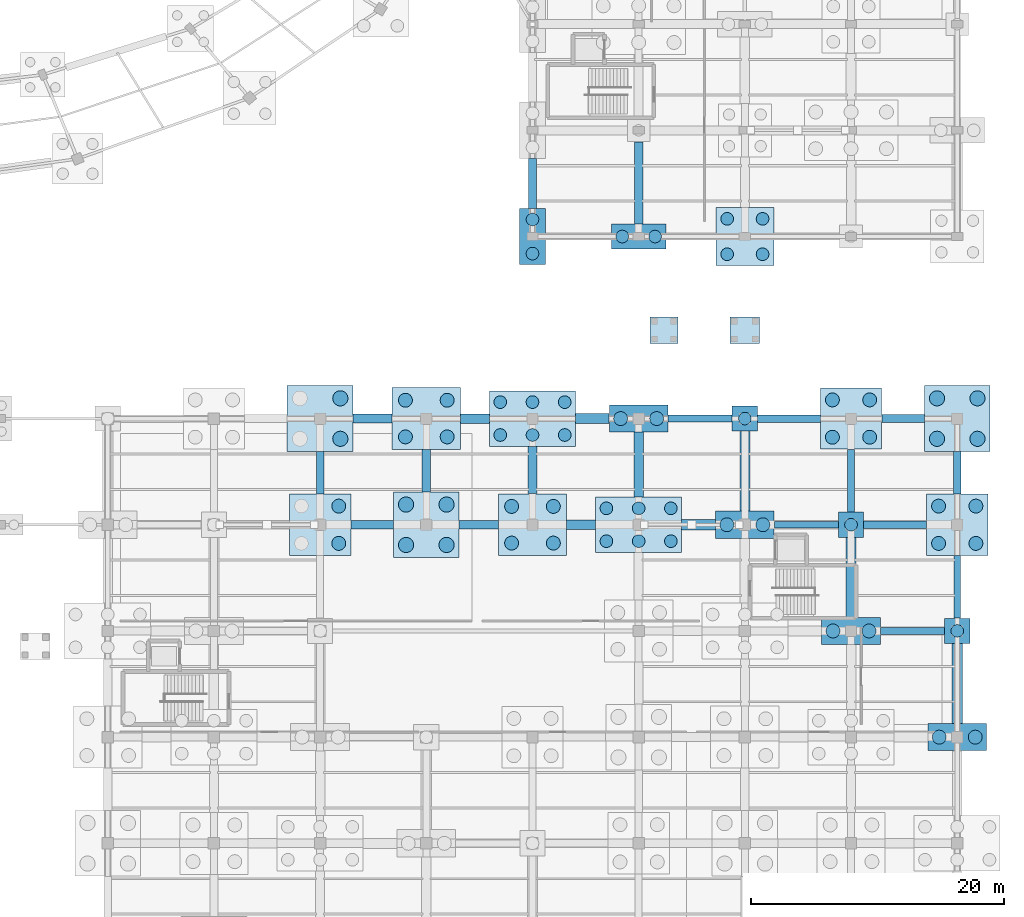
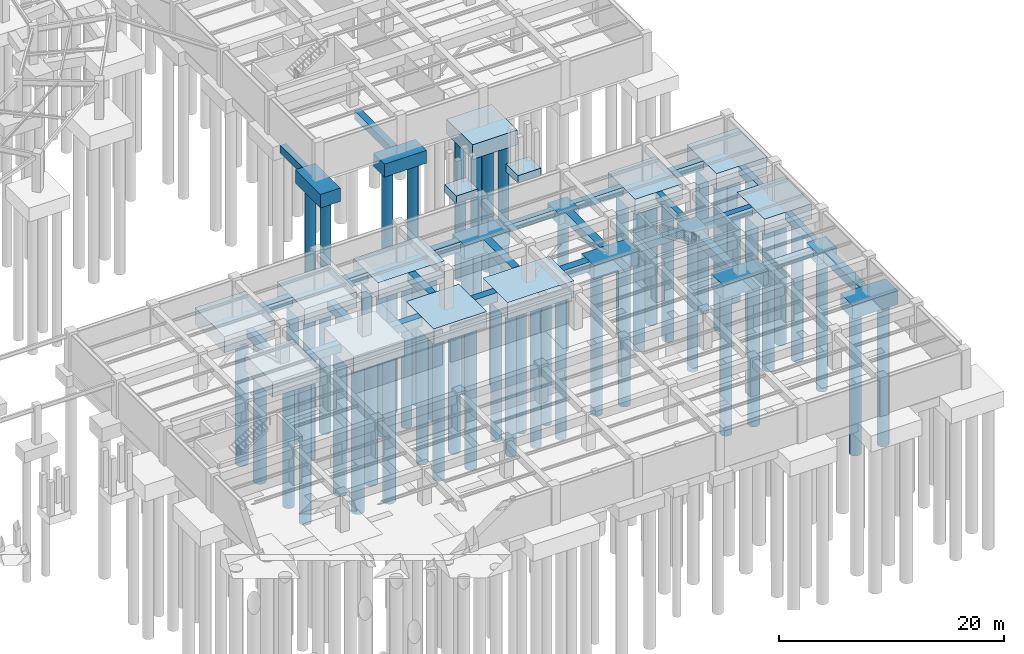
# One storey, part 8 of 38: 59 piles, 47 footings.
"""IFC4 building model written with IfcOpenShell, lengths in metres."""

import ifcopenshell
import ifcopenshell.guid

model = None  # the IFC model being written
_history = None  # IfcOwnerHistory: only IFC2X3 demands one
_inside = {}  # id of a spatial element -> (the spatial element, [elements in it])
_under = {}  # id of a project, library or spatial element -> (it, [spatial elements below it])
_declared = {}  # id of a project -> (the project, [libraries it declares])
_typed = {}  # id of a type object -> (the type object, [elements of that type])
_made_of = {}  # id of a material, layer set ... -> (it, [elements and type objects made of it])


def new_model(schema):
    """Start an empty IFC model of exactly this schema.

    Asked for "IFC4X3", IfcOpenShell would pick the latest addendum, in which some entities
    have other attributes; the version numbers below select the first issue.
    IFC2X3 requires an IfcOwnerHistory on every rooted entity: one is made here for all.
    """
    global model, _history
    if schema == "IFC4X3":
        model = ifcopenshell.file(schema_version=(4, 3, 0, 0))
    else:
        model = ifcopenshell.file(schema=schema)
    _inside.clear()
    _under.clear()
    _declared.clear()
    _typed.clear()
    _made_of.clear()
    _history = None
    if model.schema == "IFC2X3":
        org = make("IfcOrganization", Name="unknown")
        user = make(
            "IfcPersonAndOrganization",
            ThePerson=make("IfcPerson", FamilyName="unknown"),
            TheOrganization=org,
        )
        app = make(
            "IfcApplication",
            ApplicationDeveloper=org,
            Version="unknown",
            ApplicationFullName="unknown",
            ApplicationIdentifier="unknown",
        )
        _history = make(
            "IfcOwnerHistory",
            OwningUser=user,
            OwningApplication=app,
            ChangeAction="ADDED",
            CreationDate=0,
        )
    return model


def make(cls, **values):
    """One entity of the class cls with the attributes given. An attribute that is None is left unset."""
    return model.create_entity(
        cls, **{name: value for name, value in values.items() if value is not None}
    )


def rooted(cls, **values):
    """An entity with a GlobalId (a new one), such as an element, a storey or a relation."""
    return make(cls, GlobalId=ifcopenshell.guid.new(), OwnerHistory=_history, **values)


def si_unit(unit_type, name, prefix=None):
    """IfcSIUnit, for example si_unit("LENGTHUNIT", "METRE", prefix="MILLI")."""
    return make("IfcSIUnit", UnitType=unit_type, Prefix=prefix, Name=name)


def assignment(units):
    """IfcUnitAssignment: the units of a project."""
    return None if units is None else make("IfcUnitAssignment", Units=units)


def point(xyz):
    """IfcCartesianPoint."""
    return None if xyz is None else make("IfcCartesianPoint", Coordinates=xyz)


def direction(xyz):
    """IfcDirection."""
    return None if xyz is None else make("IfcDirection", DirectionRatios=xyz)


def frame(location, z_axis=None, x_axis=None):
    """IfcAxis2Placement3D, a coordinate frame: its origin and axes. An axis left out is left unset."""
    return make(
        "IfcAxis2Placement3D",
        Location=point(location),
        Axis=direction(z_axis),
        RefDirection=direction(x_axis),
    )


def frame_2d(location, x_axis=None):
    """IfcAxis2Placement2D, a coordinate frame in the plane: its origin and x axis."""
    return make(
        "IfcAxis2Placement2D", Location=point(location), RefDirection=direction(x_axis)
    )


def origin():
    """The frame at (0, 0, 0) with its axes left unset."""
    return frame((0.0, 0.0, 0.0))


def origin_2d():
    """The frame at (0, 0) in the plane with its x axis left unset."""
    return frame_2d((0.0, 0.0))


def place(relative_to, where):
    """IfcLocalPlacement: puts the frame where relative to a parent placement (None: the world)."""
    return make(
        "IfcLocalPlacement", PlacementRelTo=relative_to, RelativePlacement=where
    )


def context(
    kind, dimensions, precision=None, world=None, true_north=None, identifier=None
):
    """IfcGeometricRepresentationContext, for example the 3D "Model" context."""
    return make(
        "IfcGeometricRepresentationContext",
        ContextIdentifier=identifier,
        ContextType=kind,
        CoordinateSpaceDimension=dimensions,
        Precision=precision,
        WorldCoordinateSystem=world,
        TrueNorth=true_north,
    )


def subcontext(parent, identifier, kind, view, scale=None):
    """IfcGeometricRepresentationSubContext, for example "Body" below "Model"."""
    return make(
        "IfcGeometricRepresentationSubContext",
        ContextIdentifier=identifier,
        ContextType=kind,
        ParentContext=parent,
        TargetScale=scale,
        TargetView=view,
    )


def project(units=None, contexts=None):
    """IfcProject with its units and contexts."""
    return rooted(
        "IfcProject",
        Name="project",
        RepresentationContexts=contexts,
        UnitsInContext=assignment(units),
    )


def spatial(cls, under=None, at=None, **own):
    """A site, building, storey or space (cls), placed at a placement, below another one or the project."""
    s = rooted(cls, ObjectPlacement=at, **own)
    if under is not None:
        _under.setdefault(under.id(), (under, []))[1].append(s)
    return s


def polyline(points):
    """IfcPolyline through the points."""
    return make("IfcPolyline", Points=[point(p) for p in points])


def profile(cls, at=None, kind="AREA", **sizes):
    """A parametric profile (cls). Its sizes go by their IFC names, for example OverallWidth=200.0."""
    return make(cls, ProfileType=kind, Position=at, **sizes)


def rectangle(**sizes):
    """IfcRectangleProfileDef."""
    return profile("IfcRectangleProfileDef", **sizes)


def circle(**sizes):
    """IfcCircleProfileDef."""
    return profile("IfcCircleProfileDef", **sizes)


def outline(outer, holes=None, kind="AREA"):
    """IfcArbitraryClosedProfileDef: a profile drawn as a closed curve; with holes, ...WithVoids."""
    if holes is None:
        return make("IfcArbitraryClosedProfileDef", ProfileType=kind, OuterCurve=outer)
    return make(
        "IfcArbitraryProfileDefWithVoids",
        ProfileType=kind,
        OuterCurve=outer,
        InnerCurves=holes,
    )


def extrude(swept, where, along, depth):
    """IfcExtrudedAreaSolid: the profile swept, set in the frame where, extruded along a direction by depth."""
    return make(
        "IfcExtrudedAreaSolid",
        SweptArea=swept,
        Position=where,
        ExtrudedDirection=direction(along),
        Depth=depth,
    )


def shape(context_of_items, identifier, shape_type, items):
    """IfcShapeRepresentation: the items that make up one representation, for example the "Body"."""
    return make(
        "IfcShapeRepresentation",
        ContextOfItems=context_of_items,
        RepresentationIdentifier=identifier,
        RepresentationType=shape_type,
        Items=items,
    )


def material(Name=None, Category=None):
    """IfcMaterial."""
    return make("IfcMaterial", Name=Name, Category=Category)


def material_profile(
    of_material, cross_section, Name=None, Category=None, Priority=None
):
    """IfcMaterialProfile: a cross section and its material."""
    return make(
        "IfcMaterialProfile",
        Name=Name,
        Material=of_material,
        Profile=cross_section,
        Priority=Priority,
        Category=Category,
    )


def profile_set(profiles, Name=None, composite=None):
    """IfcMaterialProfileSet."""
    return make(
        "IfcMaterialProfileSet",
        Name=Name,
        MaterialProfiles=profiles,
        CompositeProfile=composite,
    )


def made_of(thing, what):
    """Note that an element or type object is made of a material, layer set ...; save() writes the relation."""
    if what is not None:
        _made_of.setdefault(what.id(), (what, []))[1].append(thing)
    return thing


def type_object(cls, material=None, **own):
    """A type object (cls), such as IfcWallType, which elements share."""
    return made_of(rooted(cls, **own), material)


def element(
    cls,
    number,
    at=None,
    inside=None,
    cuts=None,
    type_object=None,
    material=None,
    context=None,
    identifier="Body",
    shape_type=None,
    held_by="IfcProductDefinitionShape",
    body=None,
    shapes=None,
    **own,
):
    """One element of the class cls, such as IfcWall. Its Tag is "e" and its number.

    at: its placement. inside: the storey or other place that contains it. cuts: it is an
    opening in that element (IfcRelVoidsElement). A single representation is given by context,
    identifier, shape_type and body (its items); several are given by shapes. held_by: the class
    of the entity that holds the representations. save() writes the other relations.
    """
    e = rooted(cls, Tag="e%d" % number, ObjectPlacement=at, **own)
    if body is not None:
        shapes = [shape(context, identifier, shape_type, body)]
    if shapes is not None:
        e.Representation = make(held_by, Representations=shapes)
    if inside is not None:
        _inside.setdefault(inside.id(), (inside, []))[1].append(e)
    if cuts is not None:
        rooted(
            "IfcRelVoidsElement", RelatingBuildingElement=cuts, RelatedOpeningElement=e
        )
    if type_object is not None:
        _typed.setdefault(type_object.id(), (type_object, []))[1].append(e)
    return made_of(e, material)


def aggregate(whole, parts):
    """IfcRelAggregates: a whole, such as a stair, and the parts it consists of."""
    return rooted("IfcRelAggregates", RelatingObject=whole, RelatedObjects=parts)


def save(model, path):
    """Write the relations noted so far, then the file.

    IfcRelAggregates (storeys below a building ...), IfcRelContainedInSpatialStructure (elements
    in a storey), IfcRelDefinesByType, IfcRelAssociatesMaterial and IfcRelDeclares: one each for
    every whole, place, type object, material and project.
    """
    for whole, parts in _under.values():
        aggregate(whole, parts)
    for where, things in _inside.values():
        rooted(
            "IfcRelContainedInSpatialStructure",
            RelatedElements=things,
            RelatingStructure=where,
        )
    for kind, things in _typed.values():
        rooted("IfcRelDefinesByType", RelatedObjects=things, RelatingType=kind)
    for what, things in _made_of.values():
        rooted("IfcRelAssociatesMaterial", RelatedObjects=things, RelatingMaterial=what)
    for by, libraries in _declared.values():
        rooted("IfcRelDeclares", RelatingContext=by, RelatedDefinitions=libraries)
    model.write(path)


model = new_model("IFC4")

# Units and contexts
model_context = context("Model", 3, precision=1e-05, world=origin(), true_north=direction((0.0, 1.0)))
body_context = subcontext(model_context, "Body", "Model", "MODEL_VIEW")
ifc_project = project(units=[si_unit("LENGTHUNIT", "METRE"), si_unit("AREAUNIT", "SQUARE_METRE"), si_unit("VOLUMEUNIT", "CUBIC_METRE"), si_unit("PLANEANGLEUNIT", "RADIAN"), si_unit("MASSUNIT", "GRAM", prefix="KILO"), si_unit("THERMODYNAMICTEMPERATUREUNIT", "KELVIN"), si_unit("POWERUNIT", "WATT")], contexts=[model_context])

# Site, building, storey
site_placement = place(None, origin())
site = spatial("IfcSite", under=ifc_project, at=site_placement, CompositionType="ELEMENT")
building_placement = place(site_placement, origin())
building = spatial("IfcBuilding", under=site, at=building_placement, Name="Darbajah Civic Hall", CompositionType="ELEMENT")
storey_placement = place(building_placement, frame((0.0, 0.0, -4.199951171875)))
storey = spatial("IfcBuildingStorey", under=building, at=storey_placement, Name="B01", CompositionType="ELEMENT", Elevation=-4.199951171875)

# Piles
ifc_material = material(Name="Concrete C45/55", Category="concrete")
ifc_material_profile_1 = material_profile(ifc_material, circle(Radius=0.5, at=origin_2d()), Name="BORED PILE D1000")
ifc_profile_set_1 = profile_set([ifc_material_profile_1], Name="Concrete C45/55")
pile_type_1 = type_object("IfcPileType", Name="BORED PILE D1000", PredefinedType="BORED", material=ifc_profile_set_1)
for number, where, z_axis, x_axis, name in (
    (1, (142.050048828125, 40.699951171875, -1.699951171875), (0.0, 0.0, -1.0), (1.0, 0.0, 0.0), "B01 bored pile P-1000 V3-04-05-1"),
    (2, (144.60009765625, 40.699951171875, -1.699951171875), (0.0, 0.0, -1.0), (1.0, 0.0, 0.0), "B01 bored pile P-1000 V3-04-05-2"),
    (3, (147.14990234375, 40.699951171875, -1.699951171875), (0.0, 0.0, -1.0), (1.0, 0.0, 0.0), "B01 bored pile P-1000 V3-04-05-3"),
    (4, (142.050048828125, 43.300048828125, -1.699951171875), (0.0, 0.0, -1.0), (1.0, 0.0, 0.0), "B01 bored pile P-1000 V3-04-05-4"),
    (5, (144.60009765625, 43.300048828125, -1.699951171875), (0.0, 0.0, -1.0), (1.0, 0.0, 0.0), "B01 bored pile P-1000 V3-04-05-5"),
    (6, (147.14990234375, 43.300048828125, -1.699951171875), (0.0, 0.0, -1.0), (1.0, 0.0, 0.0), "B01 bored pile P-1000 V3-04-05-6"),
    (7, (150.449951171875, 32.300048828125, -1.699951171875), (0.0, 0.0, -1.0), (1.0, 0.0, 0.0), "B01 bored pile P-1000 V3-05-04-1"),
    (8, (153.0, 32.300048828125, -1.699951171875), (0.0, 0.0, -1.0), (1.0, 0.0, 0.0), "B01 bored pile P-1000 V3-05-04-2"),
    (9, (155.550048828125, 32.300048828125, -1.699951171875), (0.0, 0.0, -1.0), (1.0, 0.0, 0.0), "B01 bored pile P-1000 V3-05-04-3"),
    (10, (150.449951171875, 34.89990234375, -1.699951171875), (0.0, 0.0, -1.0), (1.0, 0.0, 0.0), "B01 bored pile P-1000 V3-05-04-4"),
    (11, (153.0, 34.89990234375, -1.699951171875), (0.0, 0.0, -1.0), (1.0, 0.0, 0.0), "B01 bored pile P-1000 V3-05-04-5"),
    (12, (155.550048828125, 34.89990234375, -1.699951171875), (0.0, 0.0, -1.0), (1.0, 0.0, 0.0), "B01 bored pile P-1000 V3-05-04-6"),
):
    element("IfcPile", number, at=place(storey_placement, frame(where, z_axis=z_axis, x_axis=x_axis)), inside=storey, type_object=pile_type_1, Name=name, PredefinedType="BORED", context=body_context, shape_type="SweptSolid", body=[
        extrude(circle(Radius=0.5, at=origin_2d()), origin(), (0.0, 0.0, 1.0), 15.5),
    ])
for number, where, z_axis, x_axis, name in (
    (13, (161.39990234375, 42.0, -1.10009765625), (0.0, 0.0, -1.0), (1.0, 0.0, 0.0), "B01 bored pile P-1000 V3-06-05-1"),
    (14, (169.800048828125, 33.60009765625, -1.10009765625), (0.0, 0.0, -1.0), (1.0, 0.0, 0.0), "B01 bored pile P-1000 V3-07-04-1"),
    (15, (178.199951171875, 25.199951171875, -1.10009765625), (0.0, 0.0, -1.0), (1.0, 0.0, 0.0), "B01 bored pile P-1000 V3-08-03-1"),
):
    element("IfcPile", number, at=place(storey_placement, frame(where, z_axis=z_axis, x_axis=x_axis)), inside=storey, type_object=pile_type_1, Name=name, PredefinedType="BORED", context=body_context, shape_type="SweptSolid", body=[
        extrude(circle(Radius=0.5, at=origin_2d()), origin(), (0.0, 0.0, 1.0), 14.5),
    ])
for number, where, z_axis, x_axis, name in (
    (16, (144.60009765625, 55.050048828125, -1.35009765625), (0.0, 0.0, -1.0), (1.0, 0.0, 0.0), "B01 bored pile P-1000 V4-00-00-1"),
    (17, (144.60009765625, 57.75, -1.35009765625), (0.0, 0.0, -1.0), (1.0, 0.0, 0.0), "B01 bored pile P-1000 V4-00-00-2"),
    (18, (151.699951171875, 56.39990234375, -1.300048828125), (0.0, 0.0, -1.0), (1.0, 0.0, 0.0), "B01 bored pile P-1000 V4-01-00-1"),
    (19, (154.300048828125, 56.39990234375, -1.300048828125), (0.0, 0.0, -1.0), (1.0, 0.0, 0.0), "B01 bored pile P-1000 V4-01-00-2"),
):
    element("IfcPile", number, at=place(storey_placement, frame(where, z_axis=z_axis, x_axis=x_axis)), inside=storey, type_object=pile_type_1, Name=name, PredefinedType="BORED", context=body_context, shape_type="SweptSolid", body=[
        extrude(circle(Radius=0.5, at=origin_2d()), origin(), (0.0, 0.0, 1.0), 15.0),
    ])
for number, where, z_axis, x_axis, name in (
    (20, (160.0, 55.0, -1.5), (0.0, 0.0, -1.0), (1.0, 0.0, 0.0), "B01 bored pile P-1000 V4-02-00-1"),
    (21, (162.800048828125, 55.0, -1.5), (0.0, 0.0, -1.0), (1.0, 0.0, 0.0), "B01 bored pile P-1000 V4-02-00-2"),
    (22, (160.0, 57.800048828125, -1.5), (0.0, 0.0, -1.0), (1.0, 0.0, 0.0), "B01 bored pile P-1000 V4-02-00-3"),
    (23, (162.800048828125, 57.800048828125, -1.5), (0.0, 0.0, -1.0), (1.0, 0.0, 0.0), "B01 bored pile P-1000 V4-02-00-4"),
):
    element("IfcPile", number, at=place(storey_placement, frame(where, z_axis=z_axis, x_axis=x_axis)), inside=storey, type_object=pile_type_1, Name=name, PredefinedType="BORED", context=body_context, shape_type="SweptSolid", body=[
        extrude(circle(Radius=0.5, at=origin_2d()), origin(), (0.0, 0.0, 1.0), 15.5),
    ])
ifc_material_profile_2 = material_profile(ifc_material, circle(Radius=0.550048828125, at=origin_2d()), Name="BORED PILE D1100")
ifc_profile_set_2 = profile_set([ifc_material_profile_2], Name="Concrete C45/55")
pile_type_2 = type_object("IfcPileType", Name="BORED PILE D1100", PredefinedType="BORED", material=ifc_profile_set_2)
for number, where, z_axis, x_axis, name in (
    (24, (129.27490234375, 32.125, -1.550048828125), (0.0, 0.0, -1.0), (1.0, 0.0, 0.0), "B01 bored pile P-1100 V3-02-04-2"),
    (25, (129.27490234375, 35.074951171875, -1.550048828125), (0.0, 0.0, -1.0), (1.0, 0.0, 0.0), "B01 bored pile P-1100 V3-02-04-4"),
    (26, (134.550048828125, 40.550048828125, -1.60009765625), (0.0, 0.0, -1.0), (1.0, 0.0, 0.0), "B01 bored pile P-1100 V3-03-05-1"),
    (27, (137.85009765625, 40.550048828125, -1.60009765625), (0.0, 0.0, -1.0), (1.0, 0.0, 0.0), "B01 bored pile P-1100 V3-03-05-2"),
    (28, (134.550048828125, 43.449951171875, -1.60009765625), (0.0, 0.0, -1.0), (1.0, 0.0, 0.0), "B01 bored pile P-1100 V3-03-05-3"),
    (29, (137.85009765625, 43.449951171875, -1.60009765625), (0.0, 0.0, -1.0), (1.0, 0.0, 0.0), "B01 bored pile P-1100 V3-03-05-4"),
    (30, (142.949951171875, 32.14990234375, -1.60009765625), (0.0, 0.0, -1.0), (1.0, 0.0, 0.0), "B01 bored pile P-1100 V3-04-04-1"),
    (31, (146.25, 32.14990234375, -1.60009765625), (0.0, 0.0, -1.0), (1.0, 0.0, 0.0), "B01 bored pile P-1100 V3-04-04-2"),
    (32, (142.949951171875, 35.050048828125, -1.60009765625), (0.0, 0.0, -1.0), (1.0, 0.0, 0.0), "B01 bored pile P-1100 V3-04-04-3"),
    (33, (146.25, 35.050048828125, -1.60009765625), (0.0, 0.0, -1.0), (1.0, 0.0, 0.0), "B01 bored pile P-1100 V3-04-04-4"),
    (34, (151.574951171875, 42.0, -1.400146484375), (0.0, 0.0, -1.0), (1.0, 0.0, 0.0), "B01 bored pile P-1100 V3-05-05-1"),
    (35, (154.425048828125, 42.0, -1.400146484375), (0.0, 0.0, -1.0), (1.0, 0.0, 0.0), "B01 bored pile P-1100 V3-05-05-2"),
    (36, (159.97509765625, 33.60009765625, -1.400146484375), (0.0, 0.0, -1.0), (1.0, 0.0, 0.0), "B01 bored pile P-1100 V3-06-04-1"),
    (37, (162.824951171875, 33.60009765625, -1.400146484375), (0.0, 0.0, -1.0), (1.0, 0.0, 0.0), "B01 bored pile P-1100 V3-06-04-2"),
    (38, (168.375, 25.199951171875, -1.400146484375), (0.0, 0.0, -1.0), (1.0, 0.0, 0.0), "B01 bored pile P-1100 V3-07-03-1"),
    (39, (171.22509765625, 25.199951171875, -1.400146484375), (0.0, 0.0, -1.0), (1.0, 0.0, 0.0), "B01 bored pile P-1100 V3-07-03-2"),
    (40, (168.324951171875, 40.52490234375, -1.550048828125), (0.0, 0.0, -1.0), (1.0, 0.0, 0.0), "B01 bored pile P-1100 V3-07-05-1"),
    (41, (171.27490234375, 40.52490234375, -1.550048828125), (0.0, 0.0, -1.0), (1.0, 0.0, 0.0), "B01 bored pile P-1100 V3-07-05-2"),
    (42, (168.324951171875, 43.47509765625, -1.550048828125), (0.0, 0.0, -1.0), (1.0, 0.0, 0.0), "B01 bored pile P-1100 V3-07-05-3"),
    (43, (171.27490234375, 43.47509765625, -1.550048828125), (0.0, 0.0, -1.0), (1.0, 0.0, 0.0), "B01 bored pile P-1100 V3-07-05-4"),
    (44, (176.77490234375, 16.800048828125, -1.400146484375), (0.0, 0.0, -1.0), (1.0, 0.0, 0.0), "B01 bored pile P-1100 V3-08-02-1"),
    (45, (179.625, 16.800048828125, -1.400146484375), (0.0, 0.0, -1.0), (1.0, 0.0, 0.0), "B01 bored pile P-1100 V3-08-02-2"),
    (46, (176.72509765625, 32.125, -1.550048828125), (0.0, 0.0, -1.0), (1.0, 0.0, 0.0), "B01 bored pile P-1100 V3-08-04-1"),
    (47, (179.675048828125, 32.125, -1.550048828125), (0.0, 0.0, -1.0), (1.0, 0.0, 0.0), "B01 bored pile P-1100 V3-08-04-2"),
    (48, (176.72509765625, 35.074951171875, -1.550048828125), (0.0, 0.0, -1.0), (1.0, 0.0, 0.0), "B01 bored pile P-1100 V3-08-04-3"),
    (49, (179.675048828125, 35.074951171875, -1.550048828125), (0.0, 0.0, -1.0), (1.0, 0.0, 0.0), "B01 bored pile P-1100 V3-08-04-4"),
):
    element("IfcPile", number, at=place(storey_placement, frame(where, z_axis=z_axis, x_axis=x_axis)), inside=storey, type_object=pile_type_2, Name=name, PredefinedType="BORED", context=body_context, shape_type="SweptSolid", body=[
        extrude(circle(Radius=0.550048828125, at=origin_2d()), origin(), (0.0, 0.0, 1.0), 15.5),
    ])
ifc_material_profile_3 = material_profile(ifc_material, circle(Radius=0.60009765625, at=origin_2d()), Name="BORED PILE D1200")
ifc_profile_set_3 = profile_set([ifc_material_profile_3], Name="Concrete C45/55")
pile_type_3 = type_object("IfcPileType", Name="BORED PILE D1200", PredefinedType="BORED", material=ifc_profile_set_3)
for number, where, z_axis, x_axis, name in (
    (50, (129.39990234375, 40.39990234375, -1.650146484375), (0.0, 0.0, -1.0), (1.0, 0.0, 0.0), "B01 bored pile P-1200 V3-02-05-2"),
    (51, (129.39990234375, 43.60009765625, -1.650146484375), (0.0, 0.0, -1.0), (1.0, 0.0, 0.0), "B01 bored pile P-1200 V3-02-05-4"),
    (52, (134.60009765625, 32.0, -1.650146484375), (0.0, 0.0, -1.0), (1.0, 0.0, 0.0), "B01 bored pile P-1200 V3-03-04-1"),
    (53, (137.800048828125, 32.0, -1.650146484375), (0.0, 0.0, -1.0), (1.0, 0.0, 0.0), "B01 bored pile P-1200 V3-03-04-2"),
    (54, (134.60009765625, 35.199951171875, -1.650146484375), (0.0, 0.0, -1.0), (1.0, 0.0, 0.0), "B01 bored pile P-1200 V3-03-04-3"),
    (55, (137.800048828125, 35.199951171875, -1.650146484375), (0.0, 0.0, -1.0), (1.0, 0.0, 0.0), "B01 bored pile P-1200 V3-03-04-4"),
    (56, (176.60009765625, 40.39990234375, -1.650146484375), (0.0, 0.0, -1.0), (1.0, 0.0, 0.0), "B01 bored pile P-1200 V3-08-05-1"),
    (57, (179.800048828125, 40.39990234375, -1.650146484375), (0.0, 0.0, -1.0), (1.0, 0.0, 0.0), "B01 bored pile P-1200 V3-08-05-2"),
    (58, (176.60009765625, 43.60009765625, -1.650146484375), (0.0, 0.0, -1.0), (1.0, 0.0, 0.0), "B01 bored pile P-1200 V3-08-05-3"),
    (59, (179.800048828125, 43.60009765625, -1.650146484375), (0.0, 0.0, -1.0), (1.0, 0.0, 0.0), "B01 bored pile P-1200 V3-08-05-4"),
):
    element("IfcPile", number, at=place(storey_placement, frame(where, z_axis=z_axis, x_axis=x_axis)), inside=storey, type_object=pile_type_3, Name=name, PredefinedType="BORED", context=body_context, shape_type="SweptSolid", body=[
        extrude(circle(Radius=0.60009765625, at=origin_2d()), origin(), (0.0, 0.0, 1.0), 16.0),
    ])

# Footings
footing_type_1 = type_object("IfcFootingType", Name="Ground Strip Footing 550x800", PredefinedType="STRIP_FOOTING", material=ifc_material)
footing_1_placement = place(storey_placement, frame((0.0, 0.0, -0.800048828125)))
element("IfcFooting", 60, at=footing_1_placement, inside=storey, type_object=footing_type_1, Name="B01 ground strip footing SF-06", PredefinedType="STRIP_FOOTING", context=body_context, shape_type="SweptSolid", body=[
    extrude(outline(polyline([(170.074951171875, 34.60498046875), (170.074951171875, 39.570068359375), (169.52490234375, 39.570068359375), (169.52490234375, 34.60498046875), (170.074951171875, 34.60498046875)])), origin(), (0.0, 0.0, 1.0), 0.800048828125),
])
footing_2_placement = place(storey_placement, frame((0.0, 0.0, -0.800048828125)))
element("IfcFooting", 61, at=footing_2_placement, inside=storey, type_object=footing_type_1, Name="B01 ground strip footing SF-06", PredefinedType="STRIP_FOOTING", context=body_context, shape_type="SweptSolid", body=[
    extrude(outline(polyline([(178.47509765625, 26.205078125), (178.47509765625, 31.169921875), (177.925048828125, 31.169921875), (177.925048828125, 26.205078125), (178.47509765625, 26.205078125)])), origin(), (0.0, 0.0, 1.0), 0.800048828125),
])
footing_3_placement = place(storey_placement, frame((0.0, 0.0, -0.800048828125)))
element("IfcFooting", 62, at=footing_3_placement, inside=storey, type_object=footing_type_1, Name="B01 ground strip footing SF-06", PredefinedType="STRIP_FOOTING", context=body_context, shape_type="SweptSolid", body=[
    extrude(outline(polyline([(155.330078125, 41.72509765625), (160.39501953125, 41.72509765625), (160.39501953125, 42.27490234375), (155.330078125, 42.27490234375), (155.330078125, 41.72509765625)])), origin(), (0.0, 0.0, 1.0), 0.800048828125),
])
footing_4_placement = place(storey_placement, frame((0.0, 0.0, -0.800048828125)))
element("IfcFooting", 63, at=footing_4_placement, inside=storey, type_object=footing_type_1, Name="B01 ground strip footing SF-06", PredefinedType="STRIP_FOOTING", context=body_context, shape_type="SweptSolid", body=[
    extrude(outline(polyline([(163.72998046875, 33.324951171875), (168.794921875, 33.324951171875), (168.794921875, 33.875), (163.72998046875, 33.875), (163.72998046875, 33.324951171875)])), origin(), (0.0, 0.0, 1.0), 0.800048828125),
])
footing_5_placement = place(storey_placement, frame((0.0, 0.0, -0.800048828125)))
element("IfcFooting", 64, at=footing_5_placement, inside=storey, type_object=footing_type_1, Name="B01 ground strip footing SF-06", PredefinedType="STRIP_FOOTING", context=body_context, shape_type="SweptSolid", body=[
    extrude(outline(polyline([(172.1298828125, 24.925048828125), (177.195068359375, 24.925048828125), (177.195068359375, 25.47509765625), (172.1298828125, 25.47509765625), (172.1298828125, 24.925048828125)])), origin(), (0.0, 0.0, 1.0), 0.800048828125),
])
footing_6_placement = place(storey_placement, frame((0.0, 0.0, -0.85009765625)))
element("IfcFooting", 65, at=footing_6_placement, inside=storey, type_object=footing_type_1, Name="B01 ramp RMP-E1 BOT foundation", PredefinedType="STRIP_FOOTING", context=body_context, shape_type="SweptSolid", body=[
    extrude(outline(polyline([(153.89990234375, 47.949951171875), (156.10009765625, 47.949951171875), (156.10009765625, 50.050048828125), (153.89990234375, 50.050048828125), (153.89990234375, 47.949951171875)])), origin(), (0.0, 0.0, 1.0), 0.85009765625),
])
footing_7_placement = place(storey_placement, frame((0.0, 0.0, -0.85009765625)))
element("IfcFooting", 66, at=footing_7_placement, inside=storey, type_object=footing_type_1, Name="B01 ramp RMP-E1 TOP foundation", PredefinedType="STRIP_FOOTING", context=body_context, shape_type="SweptSolid", body=[
    extrude(outline(polyline([(160.219970703125, 47.949951171875), (162.570068359375, 47.949951171875), (162.570068359375, 50.050048828125), (160.219970703125, 50.050048828125), (160.219970703125, 47.949951171875)])), origin(), (0.0, 0.0, 1.0), 0.85009765625),
])
footing_type_2 = type_object("IfcFootingType", Name="Ground Strip Footing 600x850", PredefinedType="STRIP_FOOTING", material=ifc_material)
footing_8_placement = place(storey_placement, frame((0.0, 0.0, -0.85009765625)))
element("IfcFooting", 67, at=footing_8_placement, inside=storey, type_object=footing_type_2, Name="B01 ground strip footing SF-01", PredefinedType="STRIP_FOOTING", context=body_context, shape_type="SweptSolid", body=[
    extrude(outline(polyline([(128.10009765625, 36.030029296875), (128.10009765625, 39.39501953125), (127.5, 39.39501953125), (127.5, 36.030029296875), (128.10009765625, 36.030029296875)])), origin(), (0.0, 0.0, 1.0), 0.85009765625),
])
footing_9_placement = place(storey_placement, frame((0.0, 0.0, -0.85009765625)))
element("IfcFooting", 68, at=footing_9_placement, inside=storey, type_object=footing_type_2, Name="B01 ground strip footing SF-01", PredefinedType="STRIP_FOOTING", context=body_context, shape_type="SweptSolid", body=[
    extrude(outline(polyline([(178.5, 36.030029296875), (178.5, 39.39501953125), (177.89990234375, 39.39501953125), (177.89990234375, 36.030029296875), (178.5, 36.030029296875)])), origin(), (0.0, 0.0, 1.0), 0.85009765625),
])
footing_10_placement = place(storey_placement, frame((0.0, 0.0, -0.85009765625)))
element("IfcFooting", 69, at=footing_10_placement, inside=storey, type_object=footing_type_2, Name="B01 ground strip footing SF-01", PredefinedType="STRIP_FOOTING", context=body_context, shape_type="SweptSolid", body=[
    extrude(outline(polyline([(162.405029296875, 41.699951171875), (167.3701171875, 41.699951171875), (167.3701171875, 42.300048828125), (162.405029296875, 42.300048828125), (162.405029296875, 41.699951171875)])), origin(), (0.0, 0.0, 1.0), 0.85009765625),
])
footing_11_placement = place(storey_placement, frame((0.0, 0.0, -0.85009765625)))
element("IfcFooting", 70, at=footing_11_placement, inside=storey, type_object=footing_type_2, Name="B01 ground strip footing SF-01", PredefinedType="STRIP_FOOTING", context=body_context, shape_type="SweptSolid", body=[
    extrude(outline(polyline([(170.804931640625, 33.300048828125), (175.77001953125, 33.300048828125), (175.77001953125, 33.89990234375), (170.804931640625, 33.89990234375), (170.804931640625, 33.300048828125)])), origin(), (0.0, 0.0, 1.0), 0.85009765625),
])
footing_12_placement = place(storey_placement, frame((0.0, 0.0, -0.85009765625)))
element("IfcFooting", 71, at=footing_12_placement, inside=storey, type_object=footing_type_2, Name="B01 ground strip footing SF-01", PredefinedType="STRIP_FOOTING", context=body_context, shape_type="SweptSolid", body=[
    extrude(outline(polyline([(144.89990234375, 58.6298828125), (144.89990234375, 62.570068359375), (144.300048828125, 62.570068359375), (144.300048828125, 58.6298828125), (144.89990234375, 58.6298828125)])), origin(), (0.0, 0.0, 1.0), 0.85009765625),
])
footing_type_3 = type_object("IfcFootingType", Name="Ground Strip Footing 650x900", PredefinedType="STRIP_FOOTING", material=ifc_material)
footing_13_placement = place(storey_placement, frame((0.0, 0.0, -0.900146484375)))
element("IfcFooting", 72, at=footing_13_placement, inside=storey, type_object=footing_type_3, Name="B01 ground strip footing SF-02", PredefinedType="STRIP_FOOTING", context=body_context, shape_type="SweptSolid", body=[
    extrude(outline(polyline([(136.52490234375, 36.205078125), (136.52490234375, 39.544921875), (135.875, 39.544921875), (135.875, 36.205078125), (136.52490234375, 36.205078125)])), origin(), (0.0, 0.0, 1.0), 0.900146484375),
])
footing_14_placement = place(storey_placement, frame((0.0, 0.0, -0.900146484375)))
element("IfcFooting", 73, at=footing_14_placement, inside=storey, type_object=footing_type_3, Name="B01 ground strip footing SF-02", PredefinedType="STRIP_FOOTING", context=body_context, shape_type="SweptSolid", body=[
    extrude(outline(polyline([(130.22998046875, 33.27490234375), (133.594970703125, 33.27490234375), (133.594970703125, 33.925048828125), (130.22998046875, 33.925048828125), (130.22998046875, 33.27490234375)])), origin(), (0.0, 0.0, 1.0), 0.900146484375),
])
footing_15_placement = place(storey_placement, frame((0.0, 0.0, -0.900146484375)))
element("IfcFooting", 74, at=footing_15_placement, inside=storey, type_object=footing_type_3, Name="B01 ground strip footing SF-02", PredefinedType="STRIP_FOOTING", context=body_context, shape_type="SweptSolid", body=[
    extrude(outline(polyline([(172.22998046875, 41.675048828125), (175.594970703125, 41.675048828125), (175.594970703125, 42.324951171875), (172.22998046875, 42.324951171875), (172.22998046875, 41.675048828125)])), origin(), (0.0, 0.0, 1.0), 0.900146484375),
])
footing_16_placement = place(storey_placement, frame((0.0, 0.0, -0.900146484375)))
element("IfcFooting", 75, at=footing_16_placement, inside=storey, type_object=footing_type_3, Name="B01 ground strip footing SF-02", PredefinedType="STRIP_FOOTING", context=body_context, shape_type="SweptSolid", body=[
    extrude(outline(polyline([(153.324951171875, 57.405029296875), (153.324951171875, 63.89501953125), (152.675048828125, 63.89501953125), (152.675048828125, 57.405029296875), (153.324951171875, 57.405029296875)])), origin(), (0.0, 0.0, 1.0), 0.900146484375),
])
footing_type_4 = type_object("IfcFootingType", Name="Ground Strip Footing 700x950", PredefinedType="STRIP_FOOTING", material=ifc_material)
footing_17_placement = place(storey_placement, frame((0.0, 0.0, -0.949951171875)))
element("IfcFooting", 76, at=footing_17_placement, inside=storey, type_object=footing_type_4, Name="B01 ground strip footing SF-03", PredefinedType="STRIP_FOOTING", context=body_context, shape_type="SweptSolid", body=[
    extrude(outline(polyline([(144.949951171875, 36.054931640625), (144.949951171875, 39.794921875), (144.25, 39.794921875), (144.25, 36.054931640625), (144.949951171875, 36.054931640625)])), origin(), (0.0, 0.0, 1.0), 0.949951171875),
])
footing_18_placement = place(storey_placement, frame((0.0, 0.0, -0.949951171875)))
element("IfcFooting", 77, at=footing_18_placement, inside=storey, type_object=footing_type_4, Name="B01 ground strip footing SF-03", PredefinedType="STRIP_FOOTING", context=body_context, shape_type="SweptSolid", body=[
    extrude(outline(polyline([(130.405029296875, 41.64990234375), (133.4951171875, 41.64990234375), (133.4951171875, 42.35009765625), (130.405029296875, 42.35009765625), (130.405029296875, 41.64990234375)])), origin(), (0.0, 0.0, 1.0), 0.949951171875),
])
footing_19_placement = place(storey_placement, frame((0.0, 0.0, -0.949951171875)))
element("IfcFooting", 78, at=footing_19_placement, inside=storey, type_object=footing_type_4, Name="B01 ground strip footing SF-03", PredefinedType="STRIP_FOOTING", context=body_context, shape_type="SweptSolid", body=[
    extrude(outline(polyline([(138.804931640625, 33.25), (141.89501953125, 33.25), (141.89501953125, 33.949951171875), (138.804931640625, 33.949951171875), (138.804931640625, 33.25)])), origin(), (0.0, 0.0, 1.0), 0.949951171875),
])
footing_type_5 = type_object("IfcFootingType", Name="Ground Strip Footing 750x1000", PredefinedType="STRIP_FOOTING", material=ifc_material)
footing_20_placement = place(storey_placement, frame((0.0, 0.0, -1.0)))
element("IfcFooting", 79, at=footing_20_placement, inside=storey, type_object=footing_type_5, Name="B01 ground strip footing SF-04", PredefinedType="STRIP_FOOTING", context=body_context, shape_type="SweptSolid", body=[
    extrude(outline(polyline([(153.375, 35.804931640625), (153.375, 40.919921875), (152.625, 40.919921875), (152.625, 35.804931640625), (153.375, 35.804931640625)])), origin(), (0.0, 0.0, 1.0), 1.0),
])
footing_21_placement = place(storey_placement, frame((0.0, 0.0, -1.0)))
element("IfcFooting", 80, at=footing_21_placement, inside=storey, type_object=footing_type_5, Name="B01 ground strip footing SF-04", PredefinedType="STRIP_FOOTING", context=body_context, shape_type="SweptSolid", body=[
    extrude(outline(polyline([(138.905029296875, 41.625), (141.195068359375, 41.625), (141.195068359375, 42.375), (138.905029296875, 42.375), (138.905029296875, 41.625)])), origin(), (0.0, 0.0, 1.0), 1.0),
])
footing_22_placement = place(storey_placement, frame((0.0, 0.0, -1.0)))
element("IfcFooting", 81, at=footing_22_placement, inside=storey, type_object=footing_type_5, Name="B01 ground strip footing SF-04", PredefinedType="STRIP_FOOTING", context=body_context, shape_type="SweptSolid", body=[
    extrude(outline(polyline([(147.304931640625, 33.22509765625), (149.594970703125, 33.22509765625), (149.594970703125, 33.97509765625), (147.304931640625, 33.97509765625), (147.304931640625, 33.22509765625)])), origin(), (0.0, 0.0, 1.0), 1.0),
])
footing_type_6 = type_object("IfcFootingType", Name="Ground Strip Footing 800x1050", PredefinedType="STRIP_FOOTING", material=ifc_material)
footing_23_placement = place(storey_placement, frame((0.0, 0.0, -1.050048828125)))
element("IfcFooting", 82, at=footing_23_placement, inside=storey, type_object=footing_type_6, Name="B01 ground strip footing SF-05", PredefinedType="STRIP_FOOTING", context=body_context, shape_type="SweptSolid", body=[
    extrude(outline(polyline([(161.800048828125, 34.679931640625), (161.800048828125, 40.9951171875), (161.0, 40.9951171875), (161.0, 34.679931640625), (161.800048828125, 34.679931640625)])), origin(), (0.0, 0.0, 1.0), 1.050048828125),
])
footing_24_placement = place(storey_placement, frame((0.0, 0.0, -1.050048828125)))
element("IfcFooting", 83, at=footing_24_placement, inside=storey, type_object=footing_type_6, Name="B01 ground strip footing SF-05", PredefinedType="STRIP_FOOTING", context=body_context, shape_type="SweptSolid", body=[
    extrude(outline(polyline([(170.199951171875, 26.280029296875), (170.199951171875, 32.594970703125), (169.39990234375, 32.594970703125), (169.39990234375, 26.280029296875), (170.199951171875, 26.280029296875)])), origin(), (0.0, 0.0, 1.0), 1.050048828125),
])
footing_25_placement = place(storey_placement, frame((0.0, 0.0, -1.050048828125)))
element("IfcFooting", 84, at=footing_25_placement, inside=storey, type_object=footing_type_6, Name="B01 ground strip footing SF-05", PredefinedType="STRIP_FOOTING", context=body_context, shape_type="SweptSolid", body=[
    extrude(outline(polyline([(178.60009765625, 17.8798828125), (178.60009765625, 24.195068359375), (177.800048828125, 24.195068359375), (177.800048828125, 17.8798828125), (178.60009765625, 17.8798828125)])), origin(), (0.0, 0.0, 1.0), 1.050048828125),
])
footing_26_placement = place(storey_placement, frame((0.0, 0.0, -1.050048828125)))
element("IfcFooting", 85, at=footing_26_placement, inside=storey, type_object=footing_type_6, Name="B01 ground strip footing SF-05", PredefinedType="STRIP_FOOTING", context=body_context, shape_type="SweptSolid", body=[
    extrude(outline(polyline([(148.0048828125, 41.60009765625), (150.669921875, 41.60009765625), (150.669921875, 42.39990234375), (148.0048828125, 42.39990234375), (148.0048828125, 41.60009765625)])), origin(), (0.0, 0.0, 1.0), 1.050048828125),
])
footing_27_placement = place(storey_placement, frame((0.0, 0.0, -1.050048828125)))
element("IfcFooting", 86, at=footing_27_placement, inside=storey, type_object=footing_type_6, Name="B01 ground strip footing SF-05", PredefinedType="STRIP_FOOTING", context=body_context, shape_type="SweptSolid", body=[
    extrude(outline(polyline([(156.405029296875, 33.199951171875), (159.070068359375, 33.199951171875), (159.070068359375, 34.0), (156.405029296875, 34.0), (156.405029296875, 33.199951171875)])), origin(), (0.0, 0.0, 1.0), 1.050048828125),
])
footing_type_7 = type_object("IfcFootingType", Name="Pile Cap 2000x2000x1200", PredefinedType="PILE_CAP", material=ifc_material)
for number, where, z_axis, x_axis, name in (
    (87, (161.39990234375, 42.0, -1.2001953125), (0.0, 0.0, 1.0), (1.0, 0.0, 0.0), "B01 pile cap PC-1C at V3-06-05"),
    (88, (169.800048828125, 33.60009765625, -1.2001953125), (0.0, 0.0, 1.0), (1.0, 0.0, 0.0), "B01 pile cap PC-1C at V3-07-04"),
    (89, (178.199951171875, 25.199951171875, -1.2001953125), (0.0, 0.0, 1.0), (1.0, 0.0, 0.0), "B01 pile cap PC-1C at V3-08-03"),
):
    element("IfcFooting", number, at=place(storey_placement, frame(where, z_axis=z_axis, x_axis=x_axis)), inside=storey, type_object=footing_type_7, Name=name, PredefinedType="PILE_CAP", context=body_context, shape_type="SweptSolid", body=[
        extrude(rectangle(XDim=2.0, YDim=2.0, at=origin_2d()), origin(), (0.0, 0.0, 1.0), 1.199951171875),
    ])
footing_type_8 = type_object("IfcFootingType", Name="Pile Cap 2050x4450x1450", PredefinedType="PILE_CAP", material=ifc_material)
footing_28_placement = place(storey_placement, frame((144.60009765625, 56.39990234375, -1.4501953125), z_axis=(0.0, 0.0, 1.0), x_axis=(1.0, 0.0, 0.0)))
element("IfcFooting", 90, at=footing_28_placement, inside=storey, type_object=footing_type_8, Name="B01 pile cap PC-2F at V4-00-00", PredefinedType="PILE_CAP", context=body_context, shape_type="SweptSolid", body=[
    extrude(rectangle(XDim=2.050048828125, YDim=4.449951171875, at=origin_2d()), origin(), (0.0, 0.0, 1.0), 1.449951171875),
])
footing_type_9 = type_object("IfcFootingType", Name="Pile Cap 4300x2000x1400", PredefinedType="PILE_CAP", material=ifc_material)
footing_29_placement = place(storey_placement, frame((153.0, 56.39990234375, -1.39990234375), z_axis=(0.0, 0.0, 1.0), x_axis=(1.0, 0.0, 0.0)))
element("IfcFooting", 91, at=footing_29_placement, inside=storey, type_object=footing_type_9, Name="B01 pile cap PC-2E at V4-01-00", PredefinedType="PILE_CAP", context=body_context, shape_type="SweptSolid", body=[
    extrude(rectangle(XDim=4.300048828125, YDim=2.0, at=origin_2d()), origin(), (0.0, 0.0, 1.0), 1.39990234375),
])
footing_type_10 = type_object("IfcFootingType", Name="Pile Cap 4600x4600x1600", PredefinedType="PILE_CAP", material=ifc_material)
footing_30_placement = place(storey_placement, frame((161.39990234375, 56.39990234375, -1.60009765625), z_axis=(0.0, 0.0, 1.0), x_axis=(1.0, 0.0, 0.0)))
element("IfcFooting", 92, at=footing_30_placement, inside=storey, type_object=footing_type_10, Name="B01 pile cap PC-4F at V4-02-00", PredefinedType="PILE_CAP", context=body_context, shape_type="SweptSolid", body=[
    extrude(rectangle(XDim=4.60009765625, YDim=4.60009765625, at=origin_2d()), origin(), (0.0, 0.0, 1.0), 1.60009765625),
])
footing_type_11 = type_object("IfcFootingType", Name="Pile Cap 4650x2150x1500", PredefinedType="PILE_CAP", material=ifc_material)
for number, where, z_axis, x_axis, name in (
    (93, (153.0, 42.0, -1.5), (0.0, 0.0, 1.0), (1.0, 0.0, 0.0), "B01 pile cap PC-2G at V3-05-05"),
    (94, (161.39990234375, 33.60009765625, -1.5), (0.0, 0.0, 1.0), (1.0, 0.0, 0.0), "B01 pile cap PC-2G at V3-06-04"),
    (95, (169.800048828125, 25.199951171875, -1.5), (0.0, 0.0, 1.0), (1.0, 0.0, 0.0), "B01 pile cap PC-2G at V3-07-03"),
    (96, (178.199951171875, 16.800048828125, -1.5), (0.0, 0.0, 1.0), (1.0, 0.0, 0.0), "B01 pile cap PC-2G at V3-08-02"),
):
    element("IfcFooting", number, at=place(storey_placement, frame(where, z_axis=z_axis, x_axis=x_axis)), inside=storey, type_object=footing_type_11, Name=name, PredefinedType="PILE_CAP", context=body_context, shape_type="SweptSolid", body=[
        extrude(rectangle(XDim=4.64990234375, YDim=2.14990234375, at=origin_2d()), origin(), (0.0, 0.0, 1.0), 1.5),
    ])
footing_type_12 = type_object("IfcFootingType", Name="Pile Cap 4850x4850x1650", PredefinedType="PILE_CAP", material=ifc_material)
for number, where, z_axis, x_axis, name in (
    (97, (127.800048828125, 33.60009765625, -1.64990234375), (0.0, 0.0, 1.0), (1.0, 0.0, 0.0), "B01 pile cap PC-4G at V3-02-04"),
    (98, (169.800048828125, 42.0, -1.64990234375), (0.0, 0.0, 1.0), (1.0, 0.0, 0.0), "B01 pile cap PC-4G at V3-07-05"),
    (99, (178.199951171875, 33.60009765625, -1.64990234375), (0.0, 0.0, 1.0), (1.0, 0.0, 0.0), "B01 pile cap PC-4G at V3-08-04"),
):
    element("IfcFooting", number, at=place(storey_placement, frame(where, z_axis=z_axis, x_axis=x_axis)), inside=storey, type_object=footing_type_12, Name=name, PredefinedType="PILE_CAP", context=body_context, shape_type="SweptSolid", body=[
        extrude(rectangle(XDim=4.85009765625, YDim=4.85009765625, at=origin_2d()), origin(), (0.0, 0.0, 1.0), 1.64990234375),
    ])
footing_type_13 = type_object("IfcFootingType", Name="Pile Cap 5200x5200x1750", PredefinedType="PILE_CAP", material=ifc_material)
for number, where, z_axis, x_axis, name in (
    (100, (127.800048828125, 42.0, -1.75), (0.0, 0.0, 1.0), (1.0, 0.0, 0.0), "B01 pile cap PC-4H at V3-02-05"),
    (101, (136.199951171875, 33.60009765625, -1.75), (0.0, 0.0, 1.0), (1.0, 0.0, 0.0), "B01 pile cap PC-4H at V3-03-04"),
    (102, (178.199951171875, 42.0, -1.75), (0.0, 0.0, 1.0), (1.0, 0.0, 0.0), "B01 pile cap PC-4H at V3-08-05"),
):
    element("IfcFooting", number, at=place(storey_placement, frame(where, z_axis=z_axis, x_axis=x_axis)), inside=storey, type_object=footing_type_13, Name=name, PredefinedType="PILE_CAP", context=body_context, shape_type="SweptSolid", body=[
        extrude(rectangle(XDim=5.199951171875, YDim=5.199951171875, at=origin_2d()), origin(), (0.0, 0.0, 1.0), 1.75),
    ])
footing_type_14 = type_object("IfcFootingType", Name="Pile Cap 5400x4900x1700", PredefinedType="PILE_CAP", material=ifc_material)
for number, where, z_axis, x_axis, name in (
    (103, (136.199951171875, 42.0, -1.7001953125), (0.0, 0.0, 1.0), (1.0, 0.0, 0.0), "B01 pile cap PC-4J at V3-03-05"),
    (104, (144.60009765625, 33.60009765625, -1.7001953125), (0.0, 0.0, 1.0), (1.0, 0.0, 0.0), "B01 pile cap PC-4J at V3-04-04"),
):
    element("IfcFooting", number, at=place(storey_placement, frame(where, z_axis=z_axis, x_axis=x_axis)), inside=storey, type_object=footing_type_14, Name=name, PredefinedType="PILE_CAP", context=body_context, shape_type="SweptSolid", body=[
        extrude(rectangle(XDim=5.39990234375, YDim=4.89990234375, at=origin_2d()), origin(), (0.0, 0.0, 1.0), 1.699951171875),
    ])
footing_type_15 = type_object("IfcFootingType", Name="Pile Cap 6800x4400x1800", PredefinedType="PILE_CAP", material=ifc_material)
for number, where, z_axis, x_axis, name in (
    (105, (144.60009765625, 42.0, -1.80029296875), (0.0, 0.0, 1.0), (1.0, 0.0, 0.0), "B01 pile cap PC-6A at V3-04-05"),
    (106, (153.0, 33.60009765625, -1.80029296875), (0.0, 0.0, 1.0), (1.0, 0.0, 0.0), "B01 pile cap PC-6A at V3-05-04"),
):
    element("IfcFooting", number, at=place(storey_placement, frame(where, z_axis=z_axis, x_axis=x_axis)), inside=storey, type_object=footing_type_15, Name=name, PredefinedType="PILE_CAP", context=body_context, shape_type="SweptSolid", body=[
        extrude(rectangle(XDim=6.800048828125, YDim=4.39990234375, at=origin_2d()), origin(), (0.0, 0.0, 1.0), 1.800048828125),
    ])

save(model, "model.ifc")
